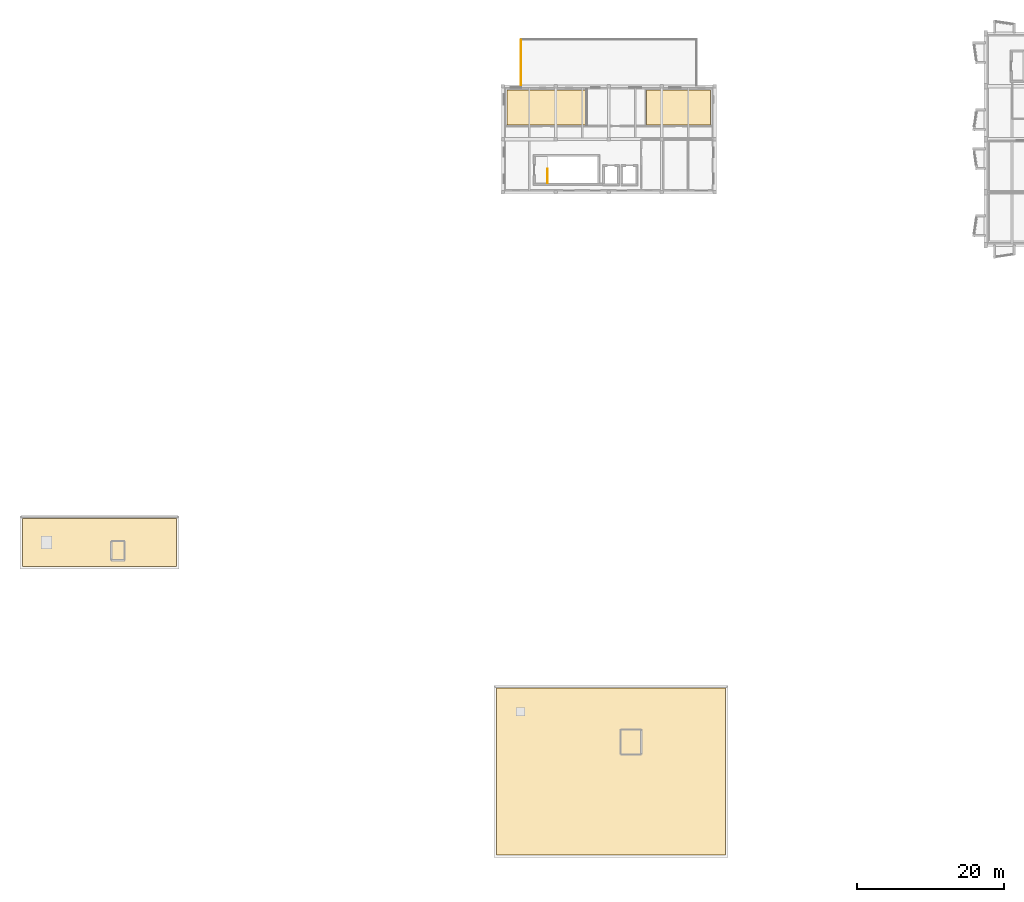
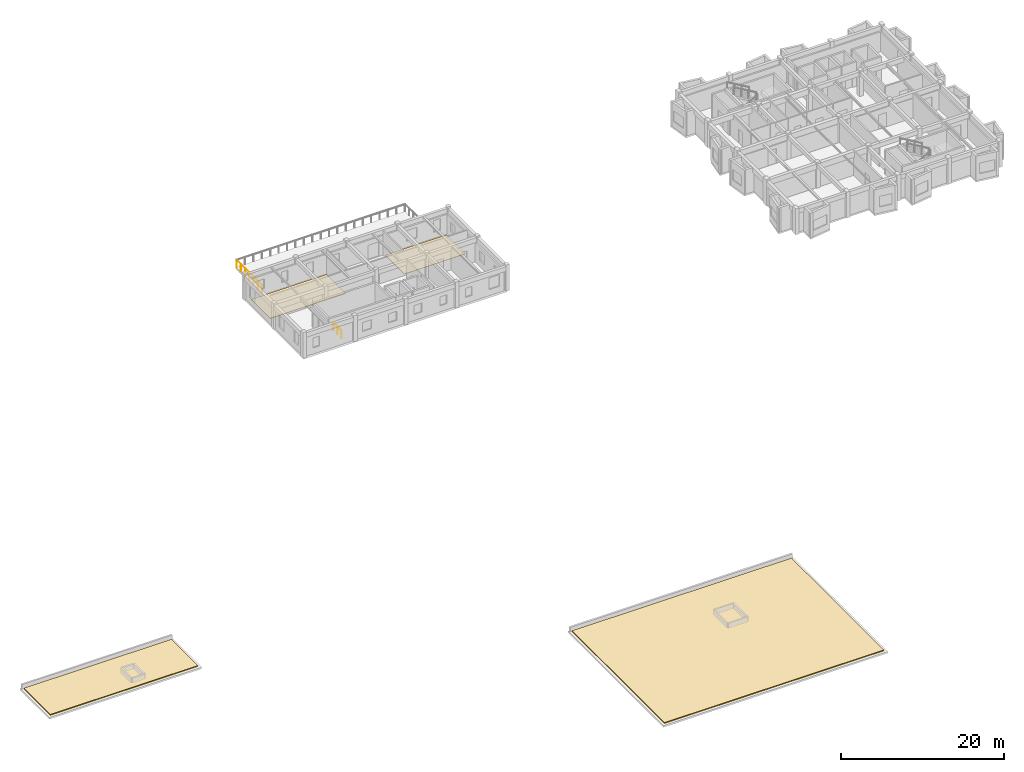
# One storey, part 9 of 12: 4 coverings, 2 railings.
"""IFC4 building model written with IfcOpenShell, lengths in metres."""

import ifcopenshell
import ifcopenshell.guid

model = None  # the IFC model being written
_history = None  # IfcOwnerHistory: only IFC2X3 demands one
_inside = {}  # id of a spatial element -> (the spatial element, [elements in it])
_under = {}  # id of a project, library or spatial element -> (it, [spatial elements below it])
_declared = {}  # id of a project -> (the project, [libraries it declares])
_typed = {}  # id of a type object -> (the type object, [elements of that type])
_made_of = {}  # id of a material, layer set ... -> (it, [elements and type objects made of it])


def new_model(schema):
    """Start an empty IFC model of exactly this schema.

    Asked for "IFC4X3", IfcOpenShell would pick the latest addendum, in which some entities
    have other attributes; the version numbers below select the first issue.
    IFC2X3 requires an IfcOwnerHistory on every rooted entity: one is made here for all.
    """
    global model, _history
    if schema == "IFC4X3":
        model = ifcopenshell.file(schema_version=(4, 3, 0, 0))
    else:
        model = ifcopenshell.file(schema=schema)
    _inside.clear()
    _under.clear()
    _declared.clear()
    _typed.clear()
    _made_of.clear()
    _history = None
    if model.schema == "IFC2X3":
        org = make("IfcOrganization", Name="unknown")
        user = make(
            "IfcPersonAndOrganization",
            ThePerson=make("IfcPerson", FamilyName="unknown"),
            TheOrganization=org,
        )
        app = make(
            "IfcApplication",
            ApplicationDeveloper=org,
            Version="unknown",
            ApplicationFullName="unknown",
            ApplicationIdentifier="unknown",
        )
        _history = make(
            "IfcOwnerHistory",
            OwningUser=user,
            OwningApplication=app,
            ChangeAction="ADDED",
            CreationDate=0,
        )
    return model


def make(cls, **values):
    """One entity of the class cls with the attributes given. An attribute that is None is left unset."""
    return model.create_entity(
        cls, **{name: value for name, value in values.items() if value is not None}
    )


def rooted(cls, **values):
    """An entity with a GlobalId (a new one), such as an element, a storey or a relation."""
    return make(cls, GlobalId=ifcopenshell.guid.new(), OwnerHistory=_history, **values)


def si_unit(unit_type, name, prefix=None):
    """IfcSIUnit, for example si_unit("LENGTHUNIT", "METRE", prefix="MILLI")."""
    return make("IfcSIUnit", UnitType=unit_type, Prefix=prefix, Name=name)


def assignment(units):
    """IfcUnitAssignment: the units of a project."""
    return None if units is None else make("IfcUnitAssignment", Units=units)


def point(xyz):
    """IfcCartesianPoint."""
    return None if xyz is None else make("IfcCartesianPoint", Coordinates=xyz)


def direction(xyz):
    """IfcDirection."""
    return None if xyz is None else make("IfcDirection", DirectionRatios=xyz)


def frame(location, z_axis=None, x_axis=None):
    """IfcAxis2Placement3D, a coordinate frame: its origin and axes. An axis left out is left unset."""
    return make(
        "IfcAxis2Placement3D",
        Location=point(location),
        Axis=direction(z_axis),
        RefDirection=direction(x_axis),
    )


def frame_2d(location, x_axis=None):
    """IfcAxis2Placement2D, a coordinate frame in the plane: its origin and x axis."""
    return make(
        "IfcAxis2Placement2D", Location=point(location), RefDirection=direction(x_axis)
    )


def origin():
    """The frame at (0, 0, 0) with its axes left unset."""
    return frame((0.0, 0.0, 0.0))


def origin_2d():
    """The frame at (0, 0) in the plane with its x axis left unset."""
    return frame_2d((0.0, 0.0))


def place(relative_to, where):
    """IfcLocalPlacement: puts the frame where relative to a parent placement (None: the world)."""
    return make(
        "IfcLocalPlacement", PlacementRelTo=relative_to, RelativePlacement=where
    )


def context(
    kind, dimensions, precision=None, world=None, true_north=None, identifier=None
):
    """IfcGeometricRepresentationContext, for example the 3D "Model" context."""
    return make(
        "IfcGeometricRepresentationContext",
        ContextIdentifier=identifier,
        ContextType=kind,
        CoordinateSpaceDimension=dimensions,
        Precision=precision,
        WorldCoordinateSystem=world,
        TrueNorth=true_north,
    )


def subcontext(parent, identifier, kind, view, scale=None):
    """IfcGeometricRepresentationSubContext, for example "Body" below "Model"."""
    return make(
        "IfcGeometricRepresentationSubContext",
        ContextIdentifier=identifier,
        ContextType=kind,
        ParentContext=parent,
        TargetScale=scale,
        TargetView=view,
    )


def project(units=None, contexts=None):
    """IfcProject with its units and contexts."""
    return rooted(
        "IfcProject",
        Name="project",
        RepresentationContexts=contexts,
        UnitsInContext=assignment(units),
    )


def spatial(cls, under=None, at=None, **own):
    """A site, building, storey or space (cls), placed at a placement, below another one or the project."""
    s = rooted(cls, ObjectPlacement=at, **own)
    if under is not None:
        _under.setdefault(under.id(), (under, []))[1].append(s)
    return s


def polyline(points):
    """IfcPolyline through the points."""
    return make("IfcPolyline", Points=[point(p) for p in points])


def profile(cls, at=None, kind="AREA", **sizes):
    """A parametric profile (cls). Its sizes go by their IFC names, for example OverallWidth=200.0."""
    return make(cls, ProfileType=kind, Position=at, **sizes)


def circle(**sizes):
    """IfcCircleProfileDef."""
    return profile("IfcCircleProfileDef", **sizes)


def outline(outer, holes=None, kind="AREA"):
    """IfcArbitraryClosedProfileDef: a profile drawn as a closed curve; with holes, ...WithVoids."""
    if holes is None:
        return make("IfcArbitraryClosedProfileDef", ProfileType=kind, OuterCurve=outer)
    return make(
        "IfcArbitraryProfileDefWithVoids",
        ProfileType=kind,
        OuterCurve=outer,
        InnerCurves=holes,
    )


def extrude(swept, where, along, depth):
    """IfcExtrudedAreaSolid: the profile swept, set in the frame where, extruded along a direction by depth."""
    return make(
        "IfcExtrudedAreaSolid",
        SweptArea=swept,
        Position=where,
        ExtrudedDirection=direction(along),
        Depth=depth,
    )


def shape(context_of_items, identifier, shape_type, items):
    """IfcShapeRepresentation: the items that make up one representation, for example the "Body"."""
    return make(
        "IfcShapeRepresentation",
        ContextOfItems=context_of_items,
        RepresentationIdentifier=identifier,
        RepresentationType=shape_type,
        Items=items,
    )


def material(Name=None, Category=None):
    """IfcMaterial."""
    return make("IfcMaterial", Name=Name, Category=Category)


def layer(
    of_material, thickness, ventilated=None, Name=None, Category=None, Priority=None
):
    """IfcMaterialLayer: one layer of a wall or slab, of a material (None: an air gap)."""
    return make(
        "IfcMaterialLayer",
        Material=of_material,
        LayerThickness=thickness,
        IsVentilated=ventilated,
        Name=Name,
        Category=Category,
        Priority=Priority,
    )


def layer_set(layers, Name=None):
    """IfcMaterialLayerSet."""
    return make("IfcMaterialLayerSet", MaterialLayers=layers, LayerSetName=Name)


def made_of(thing, what):
    """Note that an element or type object is made of a material, layer set ...; save() writes the relation."""
    if what is not None:
        _made_of.setdefault(what.id(), (what, []))[1].append(thing)
    return thing


def type_object(cls, material=None, **own):
    """A type object (cls), such as IfcWallType, which elements share."""
    return made_of(rooted(cls, **own), material)


def element(
    cls,
    number,
    at=None,
    inside=None,
    cuts=None,
    type_object=None,
    material=None,
    context=None,
    identifier="Body",
    shape_type=None,
    held_by="IfcProductDefinitionShape",
    body=None,
    shapes=None,
    **own,
):
    """One element of the class cls, such as IfcWall. Its Tag is "e" and its number.

    at: its placement. inside: the storey or other place that contains it. cuts: it is an
    opening in that element (IfcRelVoidsElement). A single representation is given by context,
    identifier, shape_type and body (its items); several are given by shapes. held_by: the class
    of the entity that holds the representations. save() writes the other relations.
    """
    e = rooted(cls, Tag="e%d" % number, ObjectPlacement=at, **own)
    if body is not None:
        shapes = [shape(context, identifier, shape_type, body)]
    if shapes is not None:
        e.Representation = make(held_by, Representations=shapes)
    if inside is not None:
        _inside.setdefault(inside.id(), (inside, []))[1].append(e)
    if cuts is not None:
        rooted(
            "IfcRelVoidsElement", RelatingBuildingElement=cuts, RelatedOpeningElement=e
        )
    if type_object is not None:
        _typed.setdefault(type_object.id(), (type_object, []))[1].append(e)
    return made_of(e, material)


def aggregate(whole, parts):
    """IfcRelAggregates: a whole, such as a stair, and the parts it consists of."""
    return rooted("IfcRelAggregates", RelatingObject=whole, RelatedObjects=parts)


def save(model, path):
    """Write the relations noted so far, then the file.

    IfcRelAggregates (storeys below a building ...), IfcRelContainedInSpatialStructure (elements
    in a storey), IfcRelDefinesByType, IfcRelAssociatesMaterial and IfcRelDeclares: one each for
    every whole, place, type object, material and project.
    """
    for whole, parts in _under.values():
        aggregate(whole, parts)
    for where, things in _inside.values():
        rooted(
            "IfcRelContainedInSpatialStructure",
            RelatedElements=things,
            RelatingStructure=where,
        )
    for kind, things in _typed.values():
        rooted("IfcRelDefinesByType", RelatedObjects=things, RelatingType=kind)
    for what, things in _made_of.values():
        rooted("IfcRelAssociatesMaterial", RelatedObjects=things, RelatingMaterial=what)
    for by, libraries in _declared.values():
        rooted("IfcRelDeclares", RelatingContext=by, RelatedDefinitions=libraries)
    model.write(path)


model = new_model("IFC4")

# Units and contexts
model_context = context("Model", 3, precision=1e-05, world=origin(), true_north=direction((0.0, 1.0)))
body_context = subcontext(model_context, "Body", "Model", "MODEL_VIEW")
ifc_project = project(units=[si_unit("LENGTHUNIT", "METRE"), si_unit("AREAUNIT", "SQUARE_METRE"), si_unit("VOLUMEUNIT", "CUBIC_METRE"), si_unit("PLANEANGLEUNIT", "RADIAN"), si_unit("MASSUNIT", "GRAM", prefix="KILO")], contexts=[model_context])

# Site, building, storey
site_placement = place(None, origin())
site = spatial("IfcSite", under=ifc_project, at=site_placement, CompositionType="ELEMENT")
building_placement = place(site_placement, origin())
building = spatial("IfcBuilding", under=site, at=building_placement, Name="Bramveld Media Centre", CompositionType="ELEMENT")
storey_placement = place(building_placement, frame((0.0, 0.0, 21.89990234375)))
storey = spatial("IfcBuildingStorey", under=building, at=storey_placement, Name="L05", CompositionType="ELEMENT", Elevation=21.89990234375)

# Coverings
ifc_material_1 = material(Name="Floating acoustic screed with smoked European oak studio flooring")
ifc_layer_1 = layer(ifc_material_1, 0.06494140625)
ifc_layer_set_1 = layer_set([ifc_layer_1], Name="Floating acoustic screed with smoked European oak studio flooring")
covering_type_1 = type_object("IfcCoveringType", Name="COV-FLOOR-01", PredefinedType="FLOORING", material=ifc_layer_set_1)
covering_1_placement = place(storey_placement, origin())
element("IfcCovering", 1, at=covering_1_placement, inside=storey, type_object=covering_type_1, Name="Sound Preservation & Archival Studio finish flooring", PredefinedType="FLOORING", context=body_context, shape_type="SweptSolid", body=[
    extrude(outline(polyline([(66.14990234375, 99.550048828125), (76.85009765625, 99.550048828125), (76.85009765625, 104.25), (66.14990234375, 104.25), (66.14990234375, 99.550048828125)])), origin(), (0.0, 0.0, 1.0), 0.065185546875),
])
ifc_material_2 = material(Name="Honed Belgian bluestone (petit granit) public concourse flooring", Category="masonry")
ifc_layer_2 = layer(ifc_material_2, 0.050048828125)
ifc_layer_set_2 = layer_set([ifc_layer_2], Name="Honed Belgian bluestone (petit granit) public concourse flooring")
covering_type_2 = type_object("IfcCoveringType", Name="COV-FLOOR-02", PredefinedType="FLOORING", material=ifc_layer_set_2)
covering_2_placement = place(storey_placement, origin())
element("IfcCovering", 2, at=covering_2_placement, inside=storey, type_object=covering_type_2, Name="Visiting Sound Artist Studio finish flooring", PredefinedType="FLOORING", context=body_context, shape_type="SweptSolid", body=[
    extrude(outline(polyline([(85.14990234375, 99.550048828125), (93.85009765625, 99.550048828125), (93.85009765625, 104.25), (85.14990234375, 104.25), (85.14990234375, 99.550048828125)])), origin(), (0.0, 0.0, 1.0), 0.050048828125),
])
ifc_material_3 = material(Name="Vegetated extensive green-roof substrate and EPDM membrane")
ifc_layer_3 = layer(ifc_material_3, 0.139892578125)
ifc_layer_set_3 = layer_set([ifc_layer_3], Name="Vegetated extensive green-roof substrate and EPDM membrane")
covering_type_3 = type_object("IfcCoveringType", Name="COV-ROOF-GREEN", PredefinedType="ROOFING", material=ifc_layer_set_3)
covering_3_placement = place(storey_placement, origin())
element("IfcCovering", 3, at=covering_3_placement, inside=storey, type_object=covering_type_3, Name="V3 L05 vegetated green roof covering", PredefinedType="ROOFING", context=body_context, shape_type="SweptSolid", body=[
    extrude(outline(polyline([(0.35009765625, 39.550048828125), (21.25, 39.550048828125), (21.25, 46.050048828125), (0.35009765625, 46.050048828125), (0.35009765625, 39.550048828125)])), origin(), (0.0, 0.0, 1.0), 0.14013671875),
])
covering_4_placement = place(storey_placement, origin())
element("IfcCovering", 4, at=covering_4_placement, inside=storey, type_object=covering_type_3, Name="V5 L05 vegetated green roof covering", PredefinedType="ROOFING", context=body_context, shape_type="SweptSolid", body=[
    extrude(outline(polyline([(64.75, 0.35009765625), (95.85009765625, 0.35009765625), (95.85009765625, 23.050048828125), (64.75, 23.050048828125), (64.75, 0.35009765625)])), origin(), (0.0, 0.0, 1.0), 0.14013671875),
])

# Railings
ifc_material_4 = material(Name="Painted galvanized steel stairwell guardrail", Category="steel")
railing_type_1 = type_object("IfcRailingType", Name="RAIL-STAIR-GUARD-1150", PredefinedType="GUARDRAIL", material=ifc_material_4)
railing_1_placement = place(storey_placement, frame((71.64990234375, 91.60009765625, 0.0)))
element("IfcRailing", 5, at=railing_1_placement, inside=storey, type_object=railing_type_1, Name="L05 ST-07 top well guard 1", PredefinedType="GUARDRAIL", context=body_context, shape_type="SweptSolid", body=[
    extrude(circle(Radius=0.02392578125, at=origin_2d()), frame((0.0, 0.0, 1.1259765625), z_axis=(0.0, 1.0, 0.0), x_axis=(-1.0, 0.0, 0.0)), (0.0, 0.0, 1.0), 1.949951171875),
    extrude(circle(Radius=0.02099609375, at=origin_2d()), origin(), (0.0, 0.0, 1.0), 1.101806640625),
    extrude(circle(Radius=0.02099609375, at=origin_2d()), frame((0.0, 0.97509765625, 0.0)), (0.0, 0.0, 1.0), 1.101806640625),
    extrude(circle(Radius=0.02099609375, at=origin_2d()), frame((0.0, 1.949951171875, 0.0)), (0.0, 0.0, 1.0), 1.101806640625),
])
ifc_material_5 = material(Name="Powder-coated bronze galvanized steel balustrade", Category="steel")
railing_type_2 = type_object("IfcRailingType", Name="RAIL-TERRACE-1150", PredefinedType="GUARDRAIL", material=ifc_material_5)
railing_2_placement = place(storey_placement, frame((68.080078125, 111.1201171875, 0.0)))
element("IfcRailing", 6, at=railing_2_placement, inside=storey, type_object=railing_type_2, Name="Curatorial Panorama Loggia W guardrail", PredefinedType="GUARDRAIL", context=body_context, shape_type="SweptSolid", body=[
    extrude(circle(Radius=0.02392578125, at=origin_2d()), frame((0.0, 0.0, 1.1259765625), z_axis=(0.0, -1.0, 0.0), x_axis=(1.0, 0.0, 0.0)), (0.0, 0.0, 1.0), 6.240234375),
    extrude(circle(Radius=0.02099609375, at=origin_2d()), origin(), (0.0, 0.0, 1.0), 1.101806640625),
    extrude(circle(Radius=0.02099609375, at=origin_2d()), frame((0.0, -1.0400390625, 0.0)), (0.0, 0.0, 1.0), 1.101806640625),
    extrude(circle(Radius=0.02099609375, at=origin_2d()), frame((0.0, -2.080078125, 0.0)), (0.0, 0.0, 1.0), 1.101806640625),
    extrude(circle(Radius=0.02099609375, at=origin_2d()), frame((0.0, -3.1201171875, 0.0)), (0.0, 0.0, 1.0), 1.101806640625),
    extrude(circle(Radius=0.02099609375, at=origin_2d()), frame((0.0, -4.16015625, 0.0)), (0.0, 0.0, 1.0), 1.101806640625),
    extrude(circle(Radius=0.02099609375, at=origin_2d()), frame((0.0, -5.2001953125, 0.0)), (0.0, 0.0, 1.0), 1.101806640625),
    extrude(circle(Radius=0.02099609375, at=origin_2d()), frame((0.0, -6.240234375, 0.0)), (0.0, 0.0, 1.0), 1.101806640625),
])

save(model, "model.ifc")
